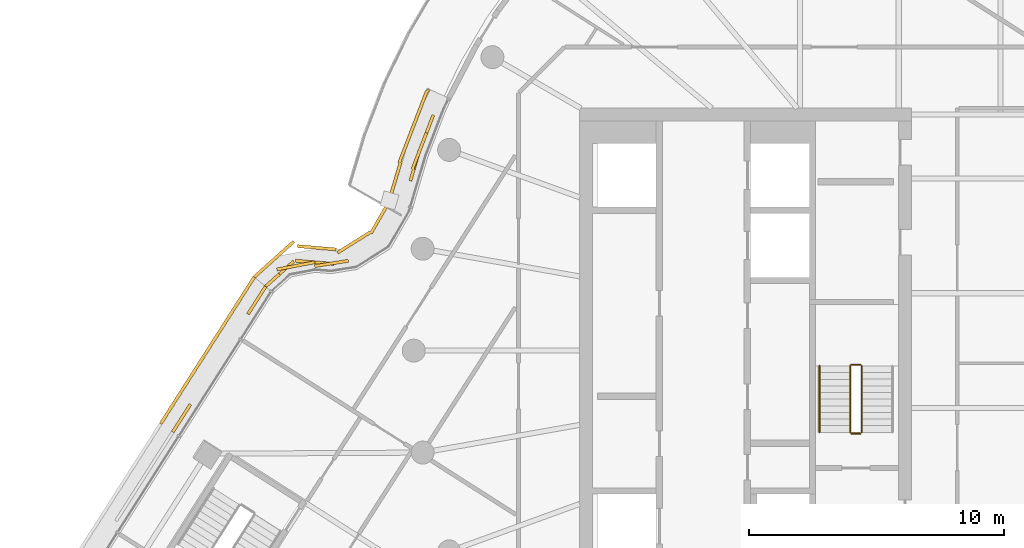
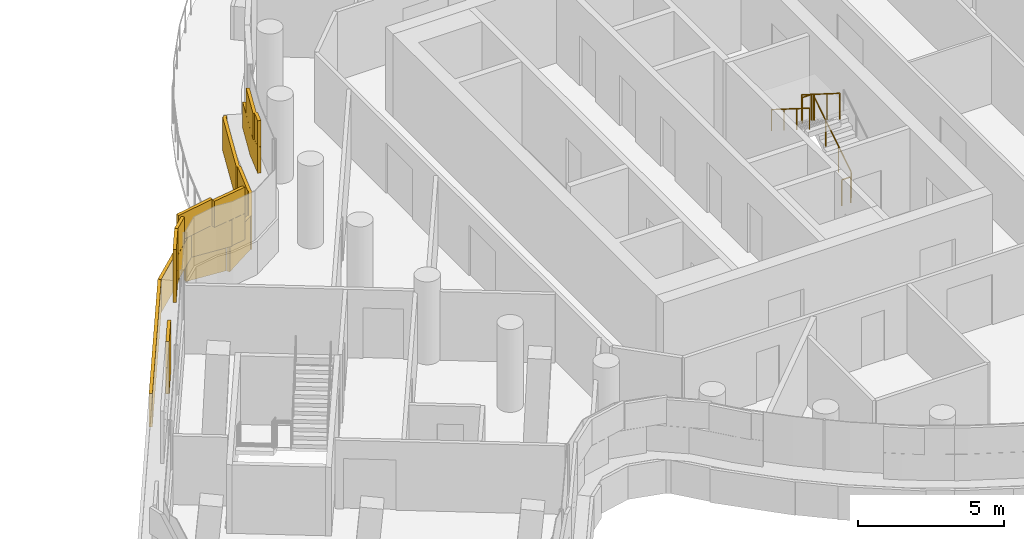
# One storey, part 23 of 27: 5 railings, 2 coverings.
"""IFC4 building model written with IfcOpenShell, lengths in metres."""

import ifcopenshell
import ifcopenshell.guid

model = None  # the IFC model being written
_history = None  # IfcOwnerHistory: only IFC2X3 demands one
_inside = {}  # id of a spatial element -> (the spatial element, [elements in it])
_under = {}  # id of a project, library or spatial element -> (it, [spatial elements below it])
_declared = {}  # id of a project -> (the project, [libraries it declares])
_typed = {}  # id of a type object -> (the type object, [elements of that type])
_made_of = {}  # id of a material, layer set ... -> (it, [elements and type objects made of it])


def new_model(schema):
    """Start an empty IFC model of exactly this schema.

    Asked for "IFC4X3", IfcOpenShell would pick the latest addendum, in which some entities
    have other attributes; the version numbers below select the first issue.
    IFC2X3 requires an IfcOwnerHistory on every rooted entity: one is made here for all.
    """
    global model, _history
    if schema == "IFC4X3":
        model = ifcopenshell.file(schema_version=(4, 3, 0, 0))
    else:
        model = ifcopenshell.file(schema=schema)
    _inside.clear()
    _under.clear()
    _declared.clear()
    _typed.clear()
    _made_of.clear()
    _history = None
    if model.schema == "IFC2X3":
        org = make("IfcOrganization", Name="unknown")
        user = make(
            "IfcPersonAndOrganization",
            ThePerson=make("IfcPerson", FamilyName="unknown"),
            TheOrganization=org,
        )
        app = make(
            "IfcApplication",
            ApplicationDeveloper=org,
            Version="unknown",
            ApplicationFullName="unknown",
            ApplicationIdentifier="unknown",
        )
        _history = make(
            "IfcOwnerHistory",
            OwningUser=user,
            OwningApplication=app,
            ChangeAction="ADDED",
            CreationDate=0,
        )
    return model


def make(cls, **values):
    """One entity of the class cls with the attributes given. An attribute that is None is left unset."""
    return model.create_entity(
        cls, **{name: value for name, value in values.items() if value is not None}
    )


def rooted(cls, **values):
    """An entity with a GlobalId (a new one), such as an element, a storey or a relation."""
    return make(cls, GlobalId=ifcopenshell.guid.new(), OwnerHistory=_history, **values)


def si_unit(unit_type, name, prefix=None):
    """IfcSIUnit, for example si_unit("LENGTHUNIT", "METRE", prefix="MILLI")."""
    return make("IfcSIUnit", UnitType=unit_type, Prefix=prefix, Name=name)


def assignment(units):
    """IfcUnitAssignment: the units of a project."""
    return None if units is None else make("IfcUnitAssignment", Units=units)


def point(xyz):
    """IfcCartesianPoint."""
    return None if xyz is None else make("IfcCartesianPoint", Coordinates=xyz)


def direction(xyz):
    """IfcDirection."""
    return None if xyz is None else make("IfcDirection", DirectionRatios=xyz)


def frame(location, z_axis=None, x_axis=None):
    """IfcAxis2Placement3D, a coordinate frame: its origin and axes. An axis left out is left unset."""
    return make(
        "IfcAxis2Placement3D",
        Location=point(location),
        Axis=direction(z_axis),
        RefDirection=direction(x_axis),
    )


def frame_2d(location, x_axis=None):
    """IfcAxis2Placement2D, a coordinate frame in the plane: its origin and x axis."""
    return make(
        "IfcAxis2Placement2D", Location=point(location), RefDirection=direction(x_axis)
    )


def origin():
    """The frame at (0, 0, 0) with its axes left unset."""
    return frame((0.0, 0.0, 0.0))


def origin_2d():
    """The frame at (0, 0) in the plane with its x axis left unset."""
    return frame_2d((0.0, 0.0))


def place(relative_to, where):
    """IfcLocalPlacement: puts the frame where relative to a parent placement (None: the world)."""
    return make(
        "IfcLocalPlacement", PlacementRelTo=relative_to, RelativePlacement=where
    )


def context(
    kind, dimensions, precision=None, world=None, true_north=None, identifier=None
):
    """IfcGeometricRepresentationContext, for example the 3D "Model" context."""
    return make(
        "IfcGeometricRepresentationContext",
        ContextIdentifier=identifier,
        ContextType=kind,
        CoordinateSpaceDimension=dimensions,
        Precision=precision,
        WorldCoordinateSystem=world,
        TrueNorth=true_north,
    )


def subcontext(parent, identifier, kind, view, scale=None):
    """IfcGeometricRepresentationSubContext, for example "Body" below "Model"."""
    return make(
        "IfcGeometricRepresentationSubContext",
        ContextIdentifier=identifier,
        ContextType=kind,
        ParentContext=parent,
        TargetScale=scale,
        TargetView=view,
    )


def project(units=None, contexts=None):
    """IfcProject with its units and contexts."""
    return rooted(
        "IfcProject",
        Name="project",
        RepresentationContexts=contexts,
        UnitsInContext=assignment(units),
    )


def spatial(cls, under=None, at=None, **own):
    """A site, building, storey or space (cls), placed at a placement, below another one or the project."""
    s = rooted(cls, ObjectPlacement=at, **own)
    if under is not None:
        _under.setdefault(under.id(), (under, []))[1].append(s)
    return s


def profile(cls, at=None, kind="AREA", **sizes):
    """A parametric profile (cls). Its sizes go by their IFC names, for example OverallWidth=200.0."""
    return make(cls, ProfileType=kind, Position=at, **sizes)


def rectangle(**sizes):
    """IfcRectangleProfileDef."""
    return profile("IfcRectangleProfileDef", **sizes)


def circle(**sizes):
    """IfcCircleProfileDef."""
    return profile("IfcCircleProfileDef", **sizes)


def extrude(swept, where, along, depth):
    """IfcExtrudedAreaSolid: the profile swept, set in the frame where, extruded along a direction by depth."""
    return make(
        "IfcExtrudedAreaSolid",
        SweptArea=swept,
        Position=where,
        ExtrudedDirection=direction(along),
        Depth=depth,
    )


def shape(context_of_items, identifier, shape_type, items):
    """IfcShapeRepresentation: the items that make up one representation, for example the "Body"."""
    return make(
        "IfcShapeRepresentation",
        ContextOfItems=context_of_items,
        RepresentationIdentifier=identifier,
        RepresentationType=shape_type,
        Items=items,
    )


def material(Name=None, Category=None):
    """IfcMaterial."""
    return make("IfcMaterial", Name=Name, Category=Category)


def layer(
    of_material, thickness, ventilated=None, Name=None, Category=None, Priority=None
):
    """IfcMaterialLayer: one layer of a wall or slab, of a material (None: an air gap)."""
    return make(
        "IfcMaterialLayer",
        Material=of_material,
        LayerThickness=thickness,
        IsVentilated=ventilated,
        Name=Name,
        Category=Category,
        Priority=Priority,
    )


def layer_set(layers, Name=None):
    """IfcMaterialLayerSet."""
    return make("IfcMaterialLayerSet", MaterialLayers=layers, LayerSetName=Name)


def made_of(thing, what):
    """Note that an element or type object is made of a material, layer set ...; save() writes the relation."""
    if what is not None:
        _made_of.setdefault(what.id(), (what, []))[1].append(thing)
    return thing


def type_object(cls, material=None, **own):
    """A type object (cls), such as IfcWallType, which elements share."""
    return made_of(rooted(cls, **own), material)


def element(
    cls,
    number,
    at=None,
    inside=None,
    cuts=None,
    type_object=None,
    material=None,
    context=None,
    identifier="Body",
    shape_type=None,
    held_by="IfcProductDefinitionShape",
    body=None,
    shapes=None,
    **own,
):
    """One element of the class cls, such as IfcWall. Its Tag is "e" and its number.

    at: its placement. inside: the storey or other place that contains it. cuts: it is an
    opening in that element (IfcRelVoidsElement). A single representation is given by context,
    identifier, shape_type and body (its items); several are given by shapes. held_by: the class
    of the entity that holds the representations. save() writes the other relations.
    """
    e = rooted(cls, Tag="e%d" % number, ObjectPlacement=at, **own)
    if body is not None:
        shapes = [shape(context, identifier, shape_type, body)]
    if shapes is not None:
        e.Representation = make(held_by, Representations=shapes)
    if inside is not None:
        _inside.setdefault(inside.id(), (inside, []))[1].append(e)
    if cuts is not None:
        rooted(
            "IfcRelVoidsElement", RelatingBuildingElement=cuts, RelatedOpeningElement=e
        )
    if type_object is not None:
        _typed.setdefault(type_object.id(), (type_object, []))[1].append(e)
    return made_of(e, material)


def aggregate(whole, parts):
    """IfcRelAggregates: a whole, such as a stair, and the parts it consists of."""
    return rooted("IfcRelAggregates", RelatingObject=whole, RelatedObjects=parts)


def save(model, path):
    """Write the relations noted so far, then the file.

    IfcRelAggregates (storeys below a building ...), IfcRelContainedInSpatialStructure (elements
    in a storey), IfcRelDefinesByType, IfcRelAssociatesMaterial and IfcRelDeclares: one each for
    every whole, place, type object, material and project.
    """
    for whole, parts in _under.values():
        aggregate(whole, parts)
    for where, things in _inside.values():
        rooted(
            "IfcRelContainedInSpatialStructure",
            RelatedElements=things,
            RelatingStructure=where,
        )
    for kind, things in _typed.values():
        rooted("IfcRelDefinesByType", RelatedObjects=things, RelatingType=kind)
    for what, things in _made_of.values():
        rooted("IfcRelAssociatesMaterial", RelatedObjects=things, RelatingMaterial=what)
    for by, libraries in _declared.values():
        rooted("IfcRelDeclares", RelatingContext=by, RelatedDefinitions=libraries)
    model.write(path)


model = new_model("IFC4")

# Units and contexts
model_context = context("Model", 3, precision=1e-05, world=origin(), true_north=direction((0.0, 1.0)))
body_context = subcontext(model_context, "Body", "Model", "MODEL_VIEW")
ifc_project = project(units=[si_unit("LENGTHUNIT", "METRE"), si_unit("AREAUNIT", "SQUARE_METRE"), si_unit("VOLUMEUNIT", "CUBIC_METRE"), si_unit("PLANEANGLEUNIT", "RADIAN"), si_unit("MASSUNIT", "GRAM", prefix="KILO")], contexts=[model_context])

# Site, building, storey
site_placement = place(None, origin())
site = spatial("IfcSite", under=ifc_project, at=site_placement, CompositionType="ELEMENT")
building_placement = place(site_placement, origin())
building = spatial("IfcBuilding", under=site, at=building_placement, Name="Tamarind Cross Interchange Tower", CompositionType="ELEMENT")
storey_placement = place(building_placement, frame((0.0, 0.0, 241.5)))
storey = spatial("IfcBuildingStorey", under=building, at=storey_placement, Name="L61", CompositionType="ELEMENT", Elevation=241.5)

# Railings
ifc_material_1 = material(Name="Stair guard")
railing_type_1 = type_object("IfcRailingType", Name="Stair guard", PredefinedType="GUARDRAIL", material=ifc_material_1)
railing_1_placement = place(storey_placement, frame((-5.449951171875, -3.199951171875, 0.16357421875)))
element("IfcRailing", 1, at=railing_1_placement, inside=storey, type_object=railing_type_1, Name="L61 ST1 stair guard 1", PredefinedType="GUARDRAIL", context=body_context, shape_type="SweptSolid", body=[
    extrude(circle(Radius=0.02392578125, at=origin_2d()), frame((0.0, 0.0, 1.076171875), z_axis=(0.0, 0.846301844409, 0.532703658848), x_axis=(-1.0, 0.0, 0.0)), (0.0, 0.0, 1.0), 3.072021484375),
    extrude(circle(Radius=0.02099609375, at=origin_2d()), origin(), (0.0, 0.0, 1.0), 1.052001953125),
    extrude(circle(Radius=0.02099609375, at=origin_2d()), frame((0.0, 0.86669921875, 0.54541015625)), (0.0, 0.0, 1.0), 1.052001953125),
    extrude(circle(Radius=0.02099609375, at=origin_2d()), frame((0.0, 1.733154296875, 1.091064453125)), (0.0, 0.0, 1.0), 1.052001953125),
    extrude(circle(Radius=0.02099609375, at=origin_2d()), frame((0.0, 2.599853515625, 1.636474609375)), (0.0, 0.0, 1.0), 1.052001953125),
])
railing_2_placement = place(storey_placement, frame((-5.5, -0.550048828125, 1.800048828125)))
element("IfcRailing", 2, at=railing_2_placement, inside=storey, type_object=railing_type_1, Name="L61 ST1 stair guard 2", PredefinedType="GUARDRAIL", context=body_context, shape_type="SweptSolid", body=[
    extrude(circle(Radius=0.02392578125, at=origin_2d()), frame((0.0, 0.0, 1.076171875), z_axis=(-1.0, 0.0, 0.0), x_axis=(0.0, -1.0, 0.0)), (0.0, 0.0, 1.0), 0.35009765625),
    extrude(circle(Radius=0.02099609375, at=origin_2d()), origin(), (0.0, 0.0, 1.0), 1.052001953125),
    extrude(circle(Radius=0.02099609375, at=origin_2d()), frame((-0.35009765625, 0.0, 0.0)), (0.0, 0.0, 1.0), 1.052001953125),
])
railing_3_placement = place(storey_placement, frame((-5.89990234375, -0.60009765625, 1.963623046875)))
element("IfcRailing", 3, at=railing_3_placement, inside=storey, type_object=railing_type_1, Name="L61 ST1 stair guard 3", PredefinedType="GUARDRAIL", context=body_context, shape_type="SweptSolid", body=[
    extrude(circle(Radius=0.02392578125, at=origin_2d()), frame((0.0, 0.0, 1.076171875), z_axis=(0.0, -0.846301844409, 0.532703658848), x_axis=(1.0, 0.0, 0.0)), (0.0, 0.0, 1.0), 3.072021484375),
    extrude(circle(Radius=0.02099609375, at=origin_2d()), origin(), (0.0, 0.0, 1.0), 1.052001953125),
    extrude(circle(Radius=0.02099609375, at=origin_2d()), frame((0.0, -0.86669921875, 0.54541015625)), (0.0, 0.0, 1.0), 1.052001953125),
    extrude(circle(Radius=0.02099609375, at=origin_2d()), frame((0.0, -1.733154296875, 1.091064453125)), (0.0, 0.0, 1.0), 1.052001953125),
    extrude(circle(Radius=0.02099609375, at=origin_2d()), frame((0.0, -2.599853515625, 1.636474609375)), (0.0, 0.0, 1.0), 1.052001953125),
])
railing_4_placement = place(storey_placement, frame((-5.5, -3.25, 0.0)))
element("IfcRailing", 4, at=railing_4_placement, inside=storey, type_object=railing_type_1, Name="L61 ST1 stair guard 4", PredefinedType="GUARDRAIL", context=body_context, shape_type="SweptSolid", body=[
    extrude(circle(Radius=0.02392578125, at=origin_2d()), frame((0.0, 0.0, 1.076171875), z_axis=(-1.0, 0.0, 0.0), x_axis=(0.0, -1.0, 0.0)), (0.0, 0.0, 1.0), 0.35009765625),
    extrude(circle(Radius=0.02099609375, at=origin_2d()), origin(), (0.0, 0.0, 1.0), 1.052001953125),
    extrude(circle(Radius=0.02099609375, at=origin_2d()), frame((-0.35009765625, 0.0, 0.0)), (0.0, 0.0, 1.0), 1.052001953125),
])
ifc_material_2 = material(Name="Stair handrail")
railing_type_2 = type_object("IfcRailingType", Name="Stair handrail", PredefinedType="HANDRAIL", material=ifc_material_2)
railing_5_placement = place(storey_placement, frame((-7.10009765625, -0.60009765625, 1.963623046875)))
element("IfcRailing", 5, at=railing_5_placement, inside=storey, type_object=railing_type_2, Name="L61 ST1 stair handrail 2", PredefinedType="HANDRAIL", context=body_context, shape_type="SweptSolid", body=[
    extrude(circle(Radius=0.02392578125, at=origin_2d()), frame((0.0, 0.0, 0.8759765625), z_axis=(0.0, -0.846301844409, 0.532703658848), x_axis=(1.0, 0.0, 0.0)), (0.0, 0.0, 1.0), 3.072021484375),
    extrude(circle(Radius=0.02099609375, at=origin_2d()), origin(), (0.0, 0.0, 1.0), 0.851806640625),
    extrude(circle(Radius=0.02099609375, at=origin_2d()), frame((0.0, -0.86669921875, 0.54541015625)), (0.0, 0.0, 1.0), 0.851806640625),
    extrude(circle(Radius=0.02099609375, at=origin_2d()), frame((0.0, -1.733154296875, 1.091064453125)), (0.0, 0.0, 1.0), 0.851806640625),
    extrude(circle(Radius=0.02099609375, at=origin_2d()), frame((0.0, -2.599853515625, 1.636474609375)), (0.0, 0.0, 1.0), 0.851806640625),
])

# Coverings
ifc_material_3 = material(Name="Terracotta", Category="masonry")
ifc_layer = layer(ifc_material_3, 0.1201171875)
ifc_layer_set = layer_set([ifc_layer], Name="Terracotta")
covering_type = type_object("IfcCoveringType", Name="Terracotta baguette screen unit", PredefinedType="MOLDING", material=ifc_layer_set)
covering_1_placement = place(storey_placement, origin())
element("IfcCovering", 6, at=covering_1_placement, inside=storey, type_object=covering_type, Name="SCR-L61-06-01", PredefinedType="MOLDING", context=body_context, shape_type="SweptSolid", body=[
    extrude(rectangle(XDim=1.52001953125, YDim=0.1201171875, at=origin_2d()), frame((-22.505126953125, 8.525390625, 1.40380859375), z_axis=(0.0, 0.0, 1.0), x_axis=(-0.359495435512, -0.933146843667, 0.0)), (0.0, 0.0, 1.0), 1.092041015625),
    extrude(rectangle(XDim=1.232421875, YDim=0.1201171875, at=origin_2d()), frame((-22.957275390625, 7.242431640625, 1.40380859375), z_axis=(0.0, 0.0, 1.0), x_axis=(-0.284974746504, -0.958535024845, 0.0)), (0.0, 0.0, 1.0), 1.092041015625),
    extrude(rectangle(XDim=0.587646484375, YDim=0.1201171875, at=origin_2d()), frame((-25.850830078125, 3.47607421875, 1.40380859375), z_axis=(0.0, 0.0, 1.0), x_axis=(-0.98775865345, -0.155989879591, 0.0)), (0.0, 0.0, 1.0), 1.092041015625),
    extrude(rectangle(XDim=1.52001953125, YDim=0.1201171875, at=origin_2d()), frame((-26.882080078125, 3.462158203125, 1.40380859375), z_axis=(0.0, 0.0, 1.0), x_axis=(-0.996400949098, 0.084765256065, 0.0)), (0.0, 0.0, 1.0), 1.092041015625),
    extrude(rectangle(XDim=1.48779296875, YDim=0.1201171875, at=origin_2d()), frame((-28.25634765625, 3.006591796875, 1.40380859375), z_axis=(0.0, 0.0, 1.0), x_axis=(-0.744517022501, -0.667603477527, 0.0)), (0.0, 0.0, 1.0), 1.092041015625),
    extrude(rectangle(XDim=1.52001953125, YDim=0.1201171875, at=origin_2d()), frame((-22.77490234375, 7.825439453125, 2.50390625), z_axis=(0.0, 0.0, 1.0), x_axis=(-0.359495435512, -0.933146843667, 0.0)), (0.0, 0.0, 1.0), 1.092041015625),
    extrude(rectangle(XDim=0.482421875, YDim=0.1201171875, at=origin_2d()), frame((-23.06396484375, 6.883056640625, 2.50390625), z_axis=(0.0, 0.0, 1.0), x_axis=(-0.284974746504, -0.958535024845, 0.0)), (0.0, 0.0, 1.0), 1.092041015625),
    extrude(rectangle(XDim=1.337646484375, YDim=0.1201171875, at=origin_2d()), frame((-26.22119140625, 3.41748046875, 2.50390625), z_axis=(0.0, 0.0, 1.0), x_axis=(-0.98775865345, -0.155989879591, 0.0)), (0.0, 0.0, 1.0), 1.092041015625),
    extrude(rectangle(XDim=1.52001953125, YDim=0.1201171875, at=origin_2d()), frame((-27.619140625, 3.32373046875, 2.50390625), z_axis=(0.0, 0.0, 1.0), x_axis=(-0.982550831432, -0.185994257043, 0.0)), (0.0, 0.0, 1.0), 1.092041015625),
    extrude(rectangle(XDim=0.73779296875, YDim=0.1201171875, at=origin_2d()), frame((-28.53564453125, 2.75634765625, 2.50390625), z_axis=(0.0, 0.0, 1.0), x_axis=(-0.744517022501, -0.667603477527, 0.0)), (0.0, 0.0, 1.0), 1.092041015625),
    extrude(rectangle(XDim=0.089111328125, YDim=0.1201171875, at=origin_2d()), frame((-22.443603515625, 10.185791015625, 0.00390625), z_axis=(0.0, 0.0, 1.0), x_axis=(-0.435326231914, -0.900272776334, 0.0)), (0.0, 0.0, 1.0), 1.39208984375),
    extrude(rectangle(XDim=1.52001953125, YDim=0.1201171875, at=origin_2d()), frame((-22.75732421875, 9.46728515625, 0.00390625), z_axis=(0.0, 0.0, 1.0), x_axis=(-0.359495435512, -0.933146843667, 0.0)), (0.0, 0.0, 1.0), 1.39208984375),
    extrude(rectangle(XDim=1.52001953125, YDim=0.1201171875, at=origin_2d()), frame((-23.296630859375, 8.067626953125, 0.00390625), z_axis=(0.0, 0.0, 1.0), x_axis=(-0.359495435512, -0.933146843667, 0.0)), (0.0, 0.0, 1.0), 1.39208984375),
    extrude(rectangle(XDim=1.52001953125, YDim=0.1201171875, at=origin_2d()), frame((-23.73681640625, 6.634033203125, 0.00390625), z_axis=(0.0, 0.0, 1.0), x_axis=(-0.284974746504, -0.958535024845, 0.0)), (0.0, 0.0, 1.0), 1.39208984375),
    extrude(rectangle(XDim=1.52001953125, YDim=0.1201171875, at=origin_2d()), frame((-24.30078125, 5.2548828125, 0.00390625), z_axis=(0.0, 0.0, 1.0), x_axis=(-0.498408635906, -0.866942230864, 0.0)), (0.0, 0.0, 1.0), 1.39208984375),
    extrude(rectangle(XDim=1.52001953125, YDim=0.1201171875, at=origin_2d()), frame((-25.34521484375, 4.240234375, 0.00390625), z_axis=(0.0, 0.0, 1.0), x_axis=(-0.847415024723, -0.530931046251, 0.0)), (0.0, 0.0, 1.0), 1.39208984375),
    extrude(rectangle(XDim=1.52001953125, YDim=0.1201171875, at=origin_2d()), frame((-26.794677734375, 4.03076171875, 0.00390625), z_axis=(0.0, 0.0, 1.0), x_axis=(-0.996400949098, 0.084765256065, 0.0)), (0.0, 0.0, 1.0), 1.39208984375),
    extrude(rectangle(XDim=1.52001953125, YDim=0.1201171875, at=origin_2d()), frame((-28.263671875, 3.77099609375, 0.00390625), z_axis=(0.0, 0.0, 1.0), x_axis=(-0.744517022501, -0.667603477527, 0.0)), (0.0, 0.0, 1.0), 1.39208984375),
    extrude(rectangle(XDim=0.58251953125, YDim=0.1201171875, at=origin_2d()), frame((-29.03125, 3.082763671875, 0.00390625), z_axis=(0.0, 0.0, 1.0), x_axis=(-0.744517022501, -0.667603477527, 0.0)), (0.0, 0.0, 1.0), 1.39208984375),
])
covering_2_placement = place(storey_placement, origin())
element("IfcCovering", 7, at=covering_2_placement, inside=storey, type_object=covering_type, Name="SCR-L61-07-00", PredefinedType="MOLDING", context=body_context, shape_type="SweptSolid", body=[
    extrude(rectangle(XDim=0.760009765625, YDim=0.1201171875, at=origin_2d()), frame((-29.00830078125, 2.197265625, 1.40380859375), z_axis=(0.0, 0.0, 1.0), x_axis=(-0.537829420727, -0.843053684056, 0.0)), (0.0, 0.0, 1.0), 1.092041015625),
    extrude(rectangle(XDim=0.5380859375, YDim=0.1201171875, at=origin_2d()), frame((-29.351806640625, 1.658447265625, 1.40380859375), z_axis=(0.0, 0.0, 1.0), x_axis=(-0.537829420727, -0.843053684056, 0.0)), (0.0, 0.0, 1.0), 1.092041015625),
    extrude(rectangle(XDim=1.281982421875, YDim=0.1201171875, at=origin_2d()), frame((-32.0947265625, -2.64111328125, 1.40380859375), z_axis=(0.0, 0.0, 1.0), x_axis=(-0.537829420727, -0.843053684056, 0.0)), (0.0, 0.0, 1.0), 1.092041015625),
    extrude(rectangle(XDim=1.278076171875, YDim=0.1201171875, at=origin_2d()), frame((-29.150146484375, 1.974609375, 2.50390625), z_axis=(0.0, 0.0, 1.0), x_axis=(-0.537829420727, -0.843053684056, 0.0)), (0.0, 0.0, 1.0), 1.092041015625),
    extrude(rectangle(XDim=0.531982421875, YDim=0.1201171875, at=origin_2d()), frame((-31.89306640625, -2.324951171875, 2.50390625), z_axis=(0.0, 0.0, 1.0), x_axis=(-0.537829420727, -0.843053684056, 0.0)), (0.0, 0.0, 1.0), 1.092041015625),
    extrude(rectangle(XDim=0.76611328125, YDim=0.1201171875, at=origin_2d()), frame((-32.23681640625, -2.86376953125, 2.50390625), z_axis=(0.0, 0.0, 1.0), x_axis=(-0.537829420727, -0.843053684056, 0.0)), (0.0, 0.0, 1.0), 1.092041015625),
    extrude(rectangle(XDim=0.760009765625, YDim=0.1201171875, at=origin_2d()), frame((-29.45263671875, 2.56787109375, 0.00390625), z_axis=(0.0, 0.0, 1.0), x_axis=(-0.537829420727, -0.843053684056, 0.0)), (0.0, 0.0, 1.0), 1.39208984375),
    extrude(rectangle(XDim=1.52001953125, YDim=0.1201171875, at=origin_2d()), frame((-30.054931640625, 1.623779296875, 0.00390625), z_axis=(0.0, 0.0, 1.0), x_axis=(-0.537829420727, -0.843053684056, 0.0)), (0.0, 0.0, 1.0), 1.39208984375),
    extrude(rectangle(XDim=1.52001953125, YDim=0.1201171875, at=origin_2d()), frame((-30.861572265625, 0.359130859375, 0.00390625), z_axis=(0.0, 0.0, 1.0), x_axis=(-0.537829420727, -0.843053684056, 0.0)), (0.0, 0.0, 1.0), 1.39208984375),
    extrude(rectangle(XDim=1.52001953125, YDim=0.1201171875, at=origin_2d()), frame((-31.66845703125, -0.905517578125, 0.00390625), z_axis=(0.0, 0.0, 1.0), x_axis=(-0.537829420727, -0.843053684056, 0.0)), (0.0, 0.0, 1.0), 1.39208984375),
    extrude(rectangle(XDim=1.52001953125, YDim=0.1201171875, at=origin_2d()), frame((-32.47509765625, -2.170166015625, 0.00390625), z_axis=(0.0, 0.0, 1.0), x_axis=(-0.537829420727, -0.843053684056, 0.0)), (0.0, 0.0, 1.0), 1.39208984375),
    extrude(rectangle(XDim=0.0810546875, YDim=0.1201171875, at=origin_2d()), frame((-32.89501953125, -2.828125, 0.00390625), z_axis=(0.0, 0.0, 1.0), x_axis=(-0.537829420727, -0.843053684056, 0.0)), (0.0, 0.0, 1.0), 1.39208984375),
])

save(model, "model.ifc")
